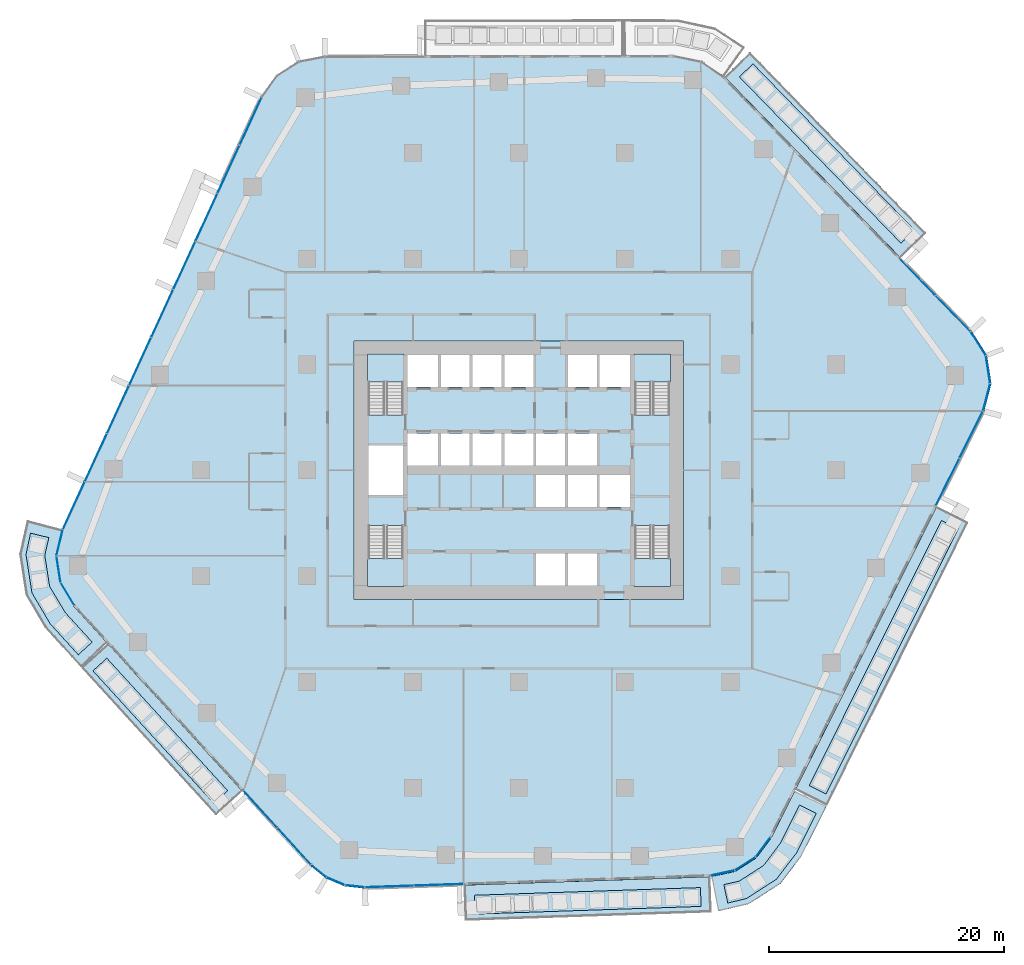
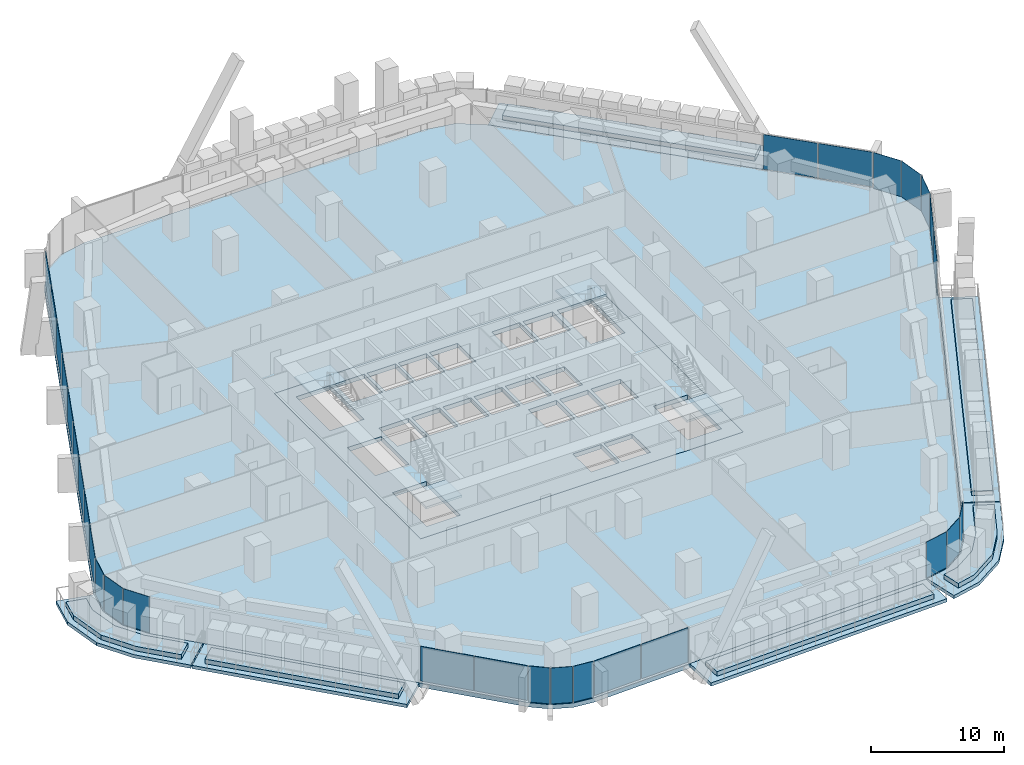
# One storey, part 11 of 26: 29 plates, 18 slabs, 13 elements without a shape of their own.
"""IFC4 building model written with IfcOpenShell, lengths in metres."""

from ifc_helpers import new_model, si_unit, direction, frame, origin, origin_2d, place, context, subcontext, project, spatial, polyline, rectangle, outline, extrude, material, layer, layer_set, type_object, element, aggregate, save


model = new_model("IFC4")

# Units and contexts
model_context = context("Model", 3, precision=1e-05, world=origin(), true_north=direction((0.0, 1.0)))
body_context = subcontext(model_context, "Body", "Model", "MODEL_VIEW")
ifc_project = project(units=[si_unit("LENGTHUNIT", "METRE"), si_unit("AREAUNIT", "SQUARE_METRE"), si_unit("VOLUMEUNIT", "CUBIC_METRE"), si_unit("PLANEANGLEUNIT", "RADIAN"), si_unit("MASSUNIT", "GRAM", prefix="KILO")], contexts=[model_context])

# Site, building, storey
site_placement = place(None, origin())
site = spatial("IfcSite", under=ifc_project, at=site_placement, CompositionType="ELEMENT")
building_placement = place(site_placement, origin())
building = spatial("IfcBuilding", under=site, at=building_placement, Name="Dongbaek Canopy Tower", CompositionType="ELEMENT")
storey_placement = place(building_placement, frame((0.0, 0.0, 73.60009765625)))
storey = spatial("IfcBuildingStorey", under=building, at=storey_placement, Name="L14", CompositionType="ELEMENT", Elevation=73.60009765625)

# Slabs
ifc_material_1 = material(Name="Concrete C40/50", Category="concrete")
ifc_layer_1 = layer(ifc_material_1, 0.300048828125)
ifc_layer_set_1 = layer_set([ifc_layer_1], Name="Balcony slab 300")
slab_type_1 = type_object("IfcSlabType", Name="Balcony slab 300", PredefinedType="FLOOR", material=ifc_layer_set_1)
slab_1_placement = place(storey_placement, frame((0.0, 0.0, -0.300048828125)))
element("IfcSlab", 1, at=slab_1_placement, inside=storey, type_object=slab_type_1, Name="Balcony L14 1", PredefinedType="FLOOR", context=body_context, shape_type="SweptSolid", body=[
    extrude(outline(polyline([(32.453369140625, 18.074462890625), (17.52197265625, 33.441162109375), (19.67333984375, 35.53173828125), (34.60498046875, 20.165283203125), (32.453369140625, 18.074462890625)])), origin(), (0.0, 0.0, 1.0), 0.300048828125),
])
slab_2_placement = place(storey_placement, frame((0.0, 0.0, -0.300048828125)))
element("IfcSlab", 2, at=slab_2_placement, inside=storey, type_object=slab_type_1, Name="Balcony L14 3", PredefinedType="FLOOR", context=body_context, shape_type="SweptSolid", body=[
    extrude(outline(polyline([(-34.946044921875, -14.74072265625), (-23.51904296875, -27.2646484375), (-25.7353515625, -29.28662109375), (-37.162109375, -16.762939453125), (-34.946044921875, -14.74072265625)])), origin(), (0.0, 0.0, 1.0), 0.300048828125),
])
slab_3_placement = place(storey_placement, frame((0.0, 0.0, -0.300048828125)))
element("IfcSlab", 3, at=slab_3_placement, inside=storey, type_object=slab_type_1, Name="Balcony L14 7", PredefinedType="FLOOR", context=body_context, shape_type="SweptSolid", body=[
    extrude(outline(polyline([(-38.88330078125, -5.05078125), (-39.416015625, -7.2646484375), (-39.05859375, -9.56396484375), (-37.853271484375, -11.554443359375), (-35.013427734375, -14.6669921875), (-37.2294921875, -16.68896484375), (-40.255859375, -13.350830078125), (-41.87744140625, -10.5908203125), (-42.413330078125, -7.1416015625), (-41.800048828125, -4.34912109375), (-38.88330078125, -5.05078125)])), origin(), (0.0, 0.0, 1.0), 0.300048828125),
])
slab_4_placement = place(storey_placement, frame((0.0, 0.0, -0.300048828125)))
element("IfcSlab", 4, at=slab_4_placement, inside=storey, type_object=slab_type_1, Name="Balcony L14 4", PredefinedType="FLOOR", context=body_context, shape_type="SweptSolid", body=[
    extrude(outline(polyline([(-4.64892578125, -35.265869140625), (16.259521484375, -34.55615234375), (16.361328125, -37.554443359375), (-4.547119140625, -38.26416015625), (-4.64892578125, -35.265869140625)])), origin(), (0.0, 0.0, 1.0), 0.300048828125),
])
slab_5_placement = place(storey_placement, frame((0.0, 0.0, -0.300048828125)))
element("IfcSlab", 5, at=slab_5_placement, inside=storey, type_object=slab_type_1, Name="Balcony L14 5", PredefinedType="FLOOR", context=body_context, shape_type="SweptSolid", body=[
    extrude(outline(polyline([(23.506103515625, -27.1650390625), (35.5146484375, -3.094482421875), (38.198974609375, -4.433837890625), (26.1904296875, -28.504150390625), (23.506103515625, -27.1650390625)])), origin(), (0.0, 0.0, 1.0), 0.300048828125),
])
slab_6_placement = place(storey_placement, frame((0.0, 0.0, -0.300048828125)))
element("IfcSlab", 6, at=slab_6_placement, inside=storey, type_object=slab_type_1, Name="Balcony L14 8", PredefinedType="FLOOR", context=body_context, shape_type="SweptSolid", body=[
    extrude(outline(polyline([(16.3583984375, -34.5439453125), (18.39794921875, -34.102783203125), (20.19580078125, -32.947998046875), (21.474853515625, -31.236328125), (23.46142578125, -27.25439453125), (26.145751953125, -28.59375), (24.02880859375, -32.810302734375), (22.24072265625, -35.14306640625), (19.5439453125, -36.875244140625), (16.992431640625, -37.47607421875), (16.3583984375, -34.5439453125)])), origin(), (0.0, 0.0, 1.0), 0.300048828125),
])

# Curtain wall, plates
ifc_material_2 = material(Name="Aluminium 6063-T6 pale anodised", Category="aluminium")
ifc_layer_2 = layer(ifc_material_2, 0.199951171875)
ifc_layer_set_2 = layer_set([ifc_layer_2], Name="CW-1 unitised tower curtain wall")
curtain_wall_type = type_object("IfcCurtainWallType", Name="CW-1 unitised tower curtain wall", PredefinedType="NOTDEFINED", material=ifc_layer_set_2)
curtain_wall_1_placement = place(storey_placement, origin())
curtain_wall_1 = element("IfcCurtainWall", 7, at=curtain_wall_1_placement, inside=storey, type_object=curtain_wall_type, Name="CW-1 curtain wall K0.1", PredefinedType="NOTDEFINED")
ifc_material_3 = material(Name="Clear laminated glass", Category="glass")
ifc_layer_3 = layer(ifc_material_3, 0.028076171875)
ifc_layer_set_3 = layer_set([ifc_layer_3], Name="CW-1 glazed panel 28")
plate_type = type_object("IfcPlateType", Name="CW-1 glazed panel 28", PredefinedType="CURTAIN_PANEL", material=ifc_layer_set_3)
plate_1_placement = place(storey_placement, frame((39.76806640625, 6.208740234375, 0.0), z_axis=(0.0, 0.0, 1.0), x_axis=(0.254303572242, 0.967124445532, 0.0)))
plate_1 = element("IfcPlate", 8, at=plate_1_placement, type_object=plate_type, Name="CW-1 panel K0.1.1.1", PredefinedType="CURTAIN_PANEL", context=body_context, shape_type="SweptSolid", body=[
    extrude(rectangle(XDim=2.3349609375, YDim=0.028076171875, at=origin_2d()), origin(), (0.0, 0.0, 1.0), 3.300048828125),
])
plate_2_placement = place(storey_placement, frame((39.890869140625, 8.568359375, 0.0), z_axis=(0.0, 0.0, 1.0), x_axis=(-0.153529895186, 0.988144003313, 0.0)))
plate_2 = element("IfcPlate", 9, at=plate_2_placement, type_object=plate_type, Name="CW-1 panel K0.1.2.1", PredefinedType="CURTAIN_PANEL", context=body_context, shape_type="SweptSolid", body=[
    extrude(rectangle(XDim=2.324462890625, YDim=0.028076171875, at=origin_2d()), origin(), (0.0, 0.0, 1.0), 3.300048828125),
])
plate_3_placement = place(storey_placement, frame((39.057861328125, 10.77978515625, 0.0), z_axis=(0.0, 0.0, 1.0), x_axis=(-0.535759188309, 0.844370826203, 0.0)))
plate_3 = element("IfcPlate", 10, at=plate_3_placement, type_object=plate_type, Name="CW-1 panel K0.1.3.1", PredefinedType="CURTAIN_PANEL", context=body_context, shape_type="SweptSolid", body=[
    extrude(rectangle(XDim=2.3349609375, YDim=0.028076171875, at=origin_2d()), origin(), (0.0, 0.0, 1.0), 3.300048828125),
])
aggregate(curtain_wall_1, [plate_1, plate_2, plate_3])

curtain_wall_2_placement = place(storey_placement, origin())
curtain_wall_2 = element("IfcCurtainWall", 11, at=curtain_wall_2_placement, inside=storey, type_object=curtain_wall_type, Name="CW-1 curtain wall F0.1", PredefinedType="NOTDEFINED")
plate_4_placement = place(storey_placement, frame((36.913330078125, 13.34130859375, 0.1201171875), z_axis=(0.0, 0.0, 1.0), x_axis=(-0.696881592027, 0.717186200853, 0.0)))
plate_4 = element("IfcPlate", 12, at=plate_4_placement, type_object=plate_type, Name="CW-1 panel F0.1.1.1", PredefinedType="CURTAIN_PANEL", context=body_context, shape_type="SweptSolid", body=[
    extrude(rectangle(XDim=4.2109375, YDim=0.028076171875, at=origin_2d()), origin(), (0.0, 0.0, 1.0), 3.179931640625),
])
plate_5_placement = place(storey_placement, frame((33.916748046875, 16.425048828125, 0.1201171875), z_axis=(0.0, 0.0, 1.0), x_axis=(-0.696881592027, 0.717186200853, 0.0)))
plate_5 = element("IfcPlate", 13, at=plate_5_placement, type_object=plate_type, Name="CW-1 panel F0.1.2.1", PredefinedType="CURTAIN_PANEL", context=body_context, shape_type="SweptSolid", body=[
    extrude(rectangle(XDim=4.22119140625, YDim=0.028076171875, at=origin_2d()), origin(), (0.0, 0.0, 1.0), 3.179931640625),
])
aggregate(curtain_wall_2, [plate_4, plate_5])

curtain_wall_3_placement = place(storey_placement, origin())
curtain_wall_3 = element("IfcCurtainWall", 14, at=curtain_wall_3_placement, inside=storey, type_object=curtain_wall_type, Name="CW-1 curtain wall F2.1", PredefinedType="NOTDEFINED")
plate_6_placement = place(storey_placement, frame((-22.805419921875, 29.6728515625, 0.1201171875), z_axis=(0.0, 0.0, 1.0), x_axis=(-0.418024643264, -0.908435687115, 0.0)))
plate_6 = element("IfcPlate", 15, at=plate_6_placement, type_object=plate_type, Name="CW-1 panel F2.1.1.1", PredefinedType="CURTAIN_PANEL", context=body_context, shape_type="SweptSolid", body=[
    extrude(rectangle(XDim=4.403076171875, YDim=0.028076171875, at=origin_2d()), origin(), (0.0, 0.0, 1.0), 3.179931640625),
])
plate_7_placement = place(storey_placement, frame((-24.68310546875, 25.59228515625, 0.1201171875), z_axis=(0.0, 0.0, 1.0), x_axis=(-0.418024643264, -0.908435687115, 0.0)))
plate_7 = element("IfcPlate", 16, at=plate_7_placement, type_object=plate_type, Name="CW-1 panel F2.1.2.1", PredefinedType="CURTAIN_PANEL", context=body_context, shape_type="SweptSolid", body=[
    extrude(rectangle(XDim=4.41259765625, YDim=0.028076171875, at=origin_2d()), origin(), (0.0, 0.0, 1.0), 3.179931640625),
])
plate_8_placement = place(storey_placement, frame((-26.562744140625, 21.50732421875, 0.1201171875), z_axis=(0.0, 0.0, 1.0), x_axis=(-0.418024643264, -0.908435687115, 0.0)))
plate_8 = element("IfcPlate", 17, at=plate_8_placement, type_object=plate_type, Name="CW-1 panel F2.1.3.1", PredefinedType="CURTAIN_PANEL", context=body_context, shape_type="SweptSolid", body=[
    extrude(rectangle(XDim=4.41259765625, YDim=0.028076171875, at=origin_2d()), origin(), (0.0, 0.0, 1.0), 3.179931640625),
])
plate_9_placement = place(storey_placement, frame((-28.442626953125, 17.422607421875, 0.1201171875), z_axis=(0.0, 0.0, 1.0), x_axis=(-0.418024643264, -0.908435687115, 0.0)))
plate_9 = element("IfcPlate", 18, at=plate_9_placement, type_object=plate_type, Name="CW-1 panel F2.1.4.1", PredefinedType="CURTAIN_PANEL", context=body_context, shape_type="SweptSolid", body=[
    extrude(rectangle(XDim=4.41259765625, YDim=0.028076171875, at=origin_2d()), origin(), (0.0, 0.0, 1.0), 3.179931640625),
])
plate_10_placement = place(storey_placement, frame((-30.322265625, 13.337646484375, 0.1201171875), z_axis=(0.0, 0.0, 1.0), x_axis=(-0.418024643264, -0.908435687115, 0.0)))
plate_10 = element("IfcPlate", 19, at=plate_10_placement, type_object=plate_type, Name="CW-1 panel F2.1.5.1", PredefinedType="CURTAIN_PANEL", context=body_context, shape_type="SweptSolid", body=[
    extrude(rectangle(XDim=4.41259765625, YDim=0.028076171875, at=origin_2d()), origin(), (0.0, 0.0, 1.0), 3.179931640625),
])
plate_11_placement = place(storey_placement, frame((-32.201904296875, 9.2529296875, 0.1201171875), z_axis=(0.0, 0.0, 1.0), x_axis=(-0.418024643264, -0.908435687115, 0.0)))
plate_11 = element("IfcPlate", 20, at=plate_11_placement, type_object=plate_type, Name="CW-1 panel F2.1.6.1", PredefinedType="CURTAIN_PANEL", context=body_context, shape_type="SweptSolid", body=[
    extrude(rectangle(XDim=4.41259765625, YDim=0.028076171875, at=origin_2d()), origin(), (0.0, 0.0, 1.0), 3.179931640625),
])
plate_12_placement = place(storey_placement, frame((-34.08154296875, 5.168212890625, 0.1201171875), z_axis=(0.0, 0.0, 1.0), x_axis=(-0.418024643264, -0.908435687115, 0.0)))
plate_12 = element("IfcPlate", 21, at=plate_12_placement, type_object=plate_type, Name="CW-1 panel F2.1.7.1", PredefinedType="CURTAIN_PANEL", context=body_context, shape_type="SweptSolid", body=[
    extrude(rectangle(XDim=4.41259765625, YDim=0.028076171875, at=origin_2d()), origin(), (0.0, 0.0, 1.0), 3.179931640625),
])
plate_13_placement = place(storey_placement, frame((-35.961181640625, 1.083251953125, 0.1201171875), z_axis=(0.0, 0.0, 1.0), x_axis=(-0.418024643264, -0.908435687115, 0.0)))
plate_13 = element("IfcPlate", 22, at=plate_13_placement, type_object=plate_type, Name="CW-1 panel F2.1.8.1", PredefinedType="CURTAIN_PANEL", context=body_context, shape_type="SweptSolid", body=[
    extrude(rectangle(XDim=4.41259765625, YDim=0.028076171875, at=origin_2d()), origin(), (0.0, 0.0, 1.0), 3.179931640625),
])
plate_14_placement = place(storey_placement, frame((-37.8388671875, -2.9970703125, 0.1201171875), z_axis=(0.0, 0.0, 1.0), x_axis=(-0.418024643264, -0.908435687115, 0.0)))
plate_14 = element("IfcPlate", 23, at=plate_14_placement, type_object=plate_type, Name="CW-1 panel F2.1.9.1", PredefinedType="CURTAIN_PANEL", context=body_context, shape_type="SweptSolid", body=[
    extrude(rectangle(XDim=4.40283203125, YDim=0.028076171875, at=origin_2d()), origin(), (0.0, 0.0, 1.0), 3.179931640625),
])
aggregate(curtain_wall_3, [plate_6, plate_7, plate_8, plate_9, plate_10, plate_11, plate_12, plate_13, plate_14])

curtain_wall_4_placement = place(storey_placement, origin())
curtain_wall_4 = element("IfcCurtainWall", 24, at=curtain_wall_4_placement, inside=storey, type_object=curtain_wall_type, Name="CW-1 curtain wall K3.1", PredefinedType="NOTDEFINED")
plate_15_placement = place(storey_placement, frame((-39.04541015625, -6.15185546875, 0.0), z_axis=(0.0, 0.0, 1.0), x_axis=(-0.233932352085, -0.972252875875, 0.0)))
plate_15 = element("IfcPlate", 25, at=plate_15_placement, type_object=plate_type, Name="CW-1 panel K3.1.1.1", PredefinedType="CURTAIN_PANEL", context=body_context, shape_type="SweptSolid", body=[
    extrude(rectangle(XDim=2.21337890625, YDim=0.028076171875, at=origin_2d()), origin(), (0.0, 0.0, 1.0), 3.300048828125),
])
plate_16_placement = place(storey_placement, frame((-39.138427734375, -8.39892578125, 0.0), z_axis=(0.0, 0.0, 1.0), x_axis=(0.153568518099, -0.988138001622, 0.0)))
plate_16 = element("IfcPlate", 26, at=plate_16_placement, type_object=plate_type, Name="CW-1 panel K3.1.2.1", PredefinedType="CURTAIN_PANEL", context=body_context, shape_type="SweptSolid", body=[
    extrude(rectangle(XDim=2.203369140625, YDim=0.028076171875, at=origin_2d()), origin(), (0.0, 0.0, 1.0), 3.300048828125),
])
plate_17_placement = place(storey_placement, frame((-38.367919921875, -10.51171875, 0.0), z_axis=(0.0, 0.0, 1.0), x_axis=(0.517971260884, -0.855398020163, 0.0)))
plate_17 = element("IfcPlate", 27, at=plate_17_placement, type_object=plate_type, Name="CW-1 panel K3.1.3.1", PredefinedType="CURTAIN_PANEL", context=body_context, shape_type="SweptSolid", body=[
    extrude(rectangle(XDim=2.21337890625, YDim=0.028076171875, at=origin_2d()), origin(), (0.0, 0.0, 1.0), 3.300048828125),
])
aggregate(curtain_wall_4, [plate_15, plate_16, plate_17])

curtain_wall_5_placement = place(storey_placement, origin())
curtain_wall_5 = element("IfcCurtainWall", 28, at=curtain_wall_5_placement, inside=storey, type_object=curtain_wall_type, Name="CW-1 curtain wall F3.1", PredefinedType="NOTDEFINED")
plate_18_placement = place(storey_placement, frame((-21.974853515625, -28.808837890625, 0.1201171875), z_axis=(0.0, 0.0, 1.0), x_axis=(0.674012428708, -0.738720005108, 0.0)))
plate_18 = element("IfcPlate", 29, at=plate_18_placement, type_object=plate_type, Name="CW-1 panel F3.1.1.1", PredefinedType="CURTAIN_PANEL", context=body_context, shape_type="SweptSolid", body=[
    extrude(rectangle(XDim=4.179443359375, YDim=0.028076171875, at=origin_2d()), origin(), (0.0, 0.0, 1.0), 3.179931640625),
])
plate_19_placement = place(storey_placement, frame((-19.103515625, -31.955810546875, 0.1201171875), z_axis=(0.0, 0.0, 1.0), x_axis=(0.674012428708, -0.738720005108, 0.0)))
plate_19 = element("IfcPlate", 30, at=plate_19_placement, type_object=plate_type, Name="CW-1 panel F3.1.2.1", PredefinedType="CURTAIN_PANEL", context=body_context, shape_type="SweptSolid", body=[
    extrude(rectangle(XDim=4.172119140625, YDim=0.028076171875, at=origin_2d()), origin(), (0.0, 0.0, 1.0), 3.179931640625),
])
aggregate(curtain_wall_5, [plate_18, plate_19])

curtain_wall_6_placement = place(storey_placement, origin())
curtain_wall_6 = element("IfcCurtainWall", 31, at=curtain_wall_6_placement, inside=storey, type_object=curtain_wall_type, Name="CW-1 curtain wall K4.1", PredefinedType="NOTDEFINED")
plate_20_placement = place(storey_placement, frame((-17.01123046875, -34.067626953125, 0.0), z_axis=(0.0, 0.0, 1.0), x_axis=(0.773161951853, -0.634208637758, 0.0)))
plate_20 = element("IfcPlate", 32, at=plate_20_placement, type_object=plate_type, Name="CW-1 panel K4.1.1.1", PredefinedType="CURTAIN_PANEL", context=body_context, shape_type="SweptSolid", body=[
    extrude(rectangle(XDim=1.618408203125, YDim=0.028076171875, at=origin_2d()), origin(), (0.0, 0.0, 1.0), 3.300048828125),
])
plate_21_placement = place(storey_placement, frame((-15.57177734375, -34.9365234375, 0.0), z_axis=(0.0, 0.0, 1.0), x_axis=(0.921599443138, -0.388142327513, 0.0)))
plate_21 = element("IfcPlate", 33, at=plate_21_placement, type_object=plate_type, Name="CW-1 panel K4.1.2.1", PredefinedType="CURTAIN_PANEL", context=body_context, shape_type="SweptSolid", body=[
    extrude(rectangle(XDim=1.611083984375, YDim=0.028076171875, at=origin_2d()), origin(), (0.0, 0.0, 1.0), 3.300048828125),
])
plate_22_placement = place(storey_placement, frame((-13.944580078125, -35.359130859375, 0.0), z_axis=(0.0, 0.0, 1.0), x_axis=(0.993929116272, -0.110022324221, 0.0)))
plate_22 = element("IfcPlate", 34, at=plate_22_placement, type_object=plate_type, Name="CW-1 panel K4.1.3.1", PredefinedType="CURTAIN_PANEL", context=body_context, shape_type="SweptSolid", body=[
    extrude(rectangle(XDim=1.618408203125, YDim=0.028076171875, at=origin_2d()), origin(), (0.0, 0.0, 1.0), 3.300048828125),
])
aggregate(curtain_wall_6, [plate_20, plate_21, plate_22])

curtain_wall_7_placement = place(storey_placement, origin())
curtain_wall_7 = element("IfcCurtainWall", 35, at=curtain_wall_7_placement, inside=storey, type_object=curtain_wall_type, Name="CW-1 curtain wall F4.1", PredefinedType="NOTDEFINED")
plate_23_placement = place(storey_placement, frame((-11.001220703125, -35.381591796875, 0.1201171875), z_axis=(0.0, 0.0, 1.0), x_axis=(0.999424118962, 0.033932734012, 0.0)))
plate_23 = element("IfcPlate", 36, at=plate_23_placement, type_object=plate_type, Name="CW-1 panel F4.1.1.1", PredefinedType="CURTAIN_PANEL", context=body_context, shape_type="SweptSolid", body=[
    extrude(rectangle(XDim=4.11279296875, YDim=0.028076171875, at=origin_2d()), origin(), (0.0, 0.0, 1.0), 3.179931640625),
])
plate_24_placement = place(storey_placement, frame((-6.80322265625, -35.239013671875, 0.1201171875), z_axis=(0.0, 0.0, 1.0), x_axis=(0.999424118962, 0.033932734012, 0.0)))
plate_24 = element("IfcPlate", 37, at=plate_24_placement, type_object=plate_type, Name="CW-1 panel F4.1.2.1", PredefinedType="CURTAIN_PANEL", context=body_context, shape_type="SweptSolid", body=[
    extrude(rectangle(XDim=4.1201171875, YDim=0.028076171875, at=origin_2d()), origin(), (0.0, 0.0, 1.0), 3.179931640625),
])
aggregate(curtain_wall_7, [plate_23, plate_24])

curtain_wall_8_placement = place(storey_placement, origin())
curtain_wall_8 = element("IfcCurtainWall", 38, at=curtain_wall_8_placement, inside=storey, type_object=curtain_wall_type, Name="CW-1 curtain wall K5.1", PredefinedType="NOTDEFINED")
plate_25_placement = place(storey_placement, frame((17.328125, -34.23193359375, 0.0), z_axis=(0.0, 0.0, 1.0), x_axis=(0.977410593537, 0.211349311905, 0.0)))
plate_25 = element("IfcPlate", 39, at=plate_25_placement, type_object=plate_type, Name="CW-1 panel K5.1.1.1", PredefinedType="CURTAIN_PANEL", context=body_context, shape_type="SweptSolid", body=[
    extrude(rectangle(XDim=2.025634765625, YDim=0.028076171875, at=origin_2d()), origin(), (0.0, 0.0, 1.0), 3.300048828125),
])
plate_26_placement = place(storey_placement, frame((19.242919921875, -33.441162109375, 0.0), z_axis=(0.0, 0.0, 1.0), x_axis=(0.841367811279, 0.540462955385, 0.0)))
plate_26 = element("IfcPlate", 40, at=plate_26_placement, type_object=plate_type, Name="CW-1 panel K5.1.2.1", PredefinedType="CURTAIN_PANEL", context=body_context, shape_type="SweptSolid", body=[
    extrude(rectangle(XDim=2.0166015625, YDim=0.028076171875, at=origin_2d()), origin(), (0.0, 0.0, 1.0), 3.300048828125),
])
plate_27_placement = place(storey_placement, frame((20.758056640625, -32.028564453125, 0.0), z_axis=(0.0, 0.0, 1.0), x_axis=(0.59861987819, 0.801033233665, 0.0)))
plate_27 = element("IfcPlate", 41, at=plate_27_placement, type_object=plate_type, Name="CW-1 panel K5.1.3.1", PredefinedType="CURTAIN_PANEL", context=body_context, shape_type="SweptSolid", body=[
    extrude(rectangle(XDim=2.025634765625, YDim=0.028076171875, at=origin_2d()), origin(), (0.0, 0.0, 1.0), 3.300048828125),
])
aggregate(curtain_wall_8, [plate_25, plate_26, plate_27])

curtain_wall_9_placement = place(storey_placement, origin())
curtain_wall_9 = element("IfcCurtainWall", 42, at=curtain_wall_9_placement, inside=storey, type_object=curtain_wall_type, Name="CW-1 curtain wall F5.1", PredefinedType="NOTDEFINED")
plate_28_placement = place(storey_placement, frame((36.451904296875, -0.99169921875, 0.1201171875), z_axis=(0.0, 0.0, 1.0), x_axis=(0.446420474241, 0.894823312268, 0.0)))
plate_28 = element("IfcPlate", 43, at=plate_28_placement, type_object=plate_type, Name="CW-1 panel F5.1.1.1", PredefinedType="CURTAIN_PANEL", context=body_context, shape_type="SweptSolid", body=[
    extrude(rectangle(XDim=4.416015625, YDim=0.028076171875, at=origin_2d()), origin(), (0.0, 0.0, 1.0), 3.179931640625),
])
plate_29_placement = place(storey_placement, frame((38.45849609375, 3.0302734375, 0.1201171875), z_axis=(0.0, 0.0, 1.0), x_axis=(0.446420474241, 0.894823312268, 0.0)))
plate_29 = element("IfcPlate", 44, at=plate_29_placement, type_object=plate_type, Name="CW-1 panel F5.1.2.1", PredefinedType="CURTAIN_PANEL", context=body_context, shape_type="SweptSolid", body=[
    extrude(rectangle(XDim=4.405517578125, YDim=0.028076171875, at=origin_2d()), origin(), (0.0, 0.0, 1.0), 3.179931640625),
])
aggregate(curtain_wall_9, [plate_28, plate_29])

# Slab
ifc_material_4 = material(Name="Concrete C40/50", Category="concrete")
ifc_layer_4 = layer(ifc_material_4, 0.39990234375)
ifc_layer_set_4 = layer_set([ifc_layer_4], Name="Core floor slab 400 Concrete C40/50")
slab_type_2 = type_object("IfcSlabType", Name="Core floor slab 400 Concrete C40/50", PredefinedType="FLOOR", material=ifc_layer_set_4)
slab_7_placement = place(storey_placement, frame((0.0, 0.0, -0.400146484375)))
element("IfcSlab", 45, at=slab_7_placement, inside=storey, type_object=slab_type_2, Name="Core floor slab L14", PredefinedType="FLOOR", context=body_context, shape_type="SweptSolid", body=[
    extrude(outline(polyline([(14.0, -11.0), (14.0, 11.0), (-14.0, 11.0), (-14.0, -11.0), (14.0, -11.0)]), holes=[polyline([(-12.800048828125, 2.10009765625), (-9.85009765625, 2.10009765625), (-9.85009765625, -2.10009765625), (-12.800048828125, -2.10009765625), (-12.800048828125, 2.10009765625)]), polyline([(-6.875, 9.800048828125), (-6.875, 7.074951171875), (-9.449951171875, 7.074951171875), (-9.449951171875, 9.800048828125), (-6.875, 9.800048828125)]), polyline([(-4.175048828125, 9.800048828125), (-4.175048828125, 7.074951171875), (-6.625, 7.074951171875), (-6.625, 9.800048828125), (-4.175048828125, 9.800048828125)]), polyline([(-1.47509765625, 9.800048828125), (-1.47509765625, 7.074951171875), (-3.925048828125, 7.074951171875), (-3.925048828125, 9.800048828125), (-1.47509765625, 9.800048828125)]), polyline([(1.22509765625, 9.800048828125), (1.22509765625, 7.074951171875), (-1.22509765625, 7.074951171875), (-1.22509765625, 9.800048828125), (1.22509765625, 9.800048828125)]), polyline([(6.625, 9.800048828125), (6.625, 7.074951171875), (4.175048828125, 7.074951171875), (4.175048828125, 9.800048828125), (6.625, 9.800048828125)]), polyline([(9.449951171875, 7.074951171875), (6.875, 7.074951171875), (6.875, 9.800048828125), (9.449951171875, 9.800048828125), (9.449951171875, 7.074951171875)]), polyline([(-9.449951171875, 3.125), (-6.875, 3.125), (-6.875, 0.39990234375), (-9.449951171875, 0.39990234375), (-9.449951171875, 3.125)]), polyline([(-6.625, 3.125), (-4.175048828125, 3.125), (-4.175048828125, 0.39990234375), (-6.625, 0.39990234375), (-6.625, 3.125)]), polyline([(-3.925048828125, 3.125), (-1.47509765625, 3.125), (-1.47509765625, 0.39990234375), (-3.925048828125, 0.39990234375), (-3.925048828125, 3.125)]), polyline([(-1.22509765625, 3.125), (1.22509765625, 3.125), (1.22509765625, 0.39990234375), (-1.22509765625, 0.39990234375), (-1.22509765625, 3.125)]), polyline([(3.925048828125, 3.125), (3.925048828125, 0.39990234375), (1.47509765625, 0.39990234375), (1.47509765625, 3.125), (3.925048828125, 3.125)]), polyline([(4.175048828125, 3.125), (6.625, 3.125), (6.625, 0.39990234375), (4.175048828125, 0.39990234375), (4.175048828125, 3.125)]), polyline([(1.47509765625, -0.39990234375), (3.925048828125, -0.39990234375), (3.925048828125, -3.125), (1.47509765625, -3.125), (1.47509765625, -0.39990234375)]), polyline([(4.175048828125, -3.125), (4.175048828125, -0.39990234375), (6.625, -0.39990234375), (6.625, -3.125), (4.175048828125, -3.125)]), polyline([(9.449951171875, -3.125), (6.875, -3.125), (6.875, -0.39990234375), (9.449951171875, -0.39990234375), (9.449951171875, -3.125)]), polyline([(1.47509765625, -9.800048828125), (1.47509765625, -7.074951171875), (3.925048828125, -7.074951171875), (3.925048828125, -9.800048828125), (1.47509765625, -9.800048828125)]), polyline([(4.175048828125, -9.800048828125), (4.175048828125, -7.074951171875), (6.625, -7.074951171875), (6.625, -9.800048828125), (4.175048828125, -9.800048828125)]), polyline([(12.800048828125, 4.70068359375), (12.800048828125, 9.800048828125), (9.85009765625, 9.800048828125), (9.85009765625, 4.70068359375), (12.800048828125, 4.70068359375)]), polyline([(-9.85009765625, 4.70068359375), (-9.85009765625, 9.800048828125), (-12.800048828125, 9.800048828125), (-12.800048828125, 4.70068359375), (-9.85009765625, 4.70068359375)]), polyline([(9.85009765625, -4.70068359375), (9.85009765625, -9.800048828125), (12.800048828125, -9.800048828125), (12.800048828125, -4.70068359375), (9.85009765625, -4.70068359375)]), polyline([(-12.800048828125, -4.70068359375), (-12.800048828125, -9.800048828125), (-9.85009765625, -9.800048828125), (-9.85009765625, -4.70068359375), (-12.800048828125, -4.70068359375)])]), origin(), (0.0, 0.0, 1.0), 0.400146484375),
])

# Stair, slab
ifc_material_5 = material(Name="Concrete C40/50", Category="concrete")
stair_type = type_object("IfcStairType", Name="Core exit stair", PredefinedType="HALF_TURN_STAIR", material=ifc_material_5)
stair_1_placement = place(storey_placement, origin())
stair_1 = element("IfcStair", 46, at=stair_1_placement, inside=storey, type_object=stair_type, Name="L14 exit stair A", PredefinedType="HALF_TURN_STAIR")
ifc_material_6 = material(Name="Concrete C40/50", Category="concrete")
ifc_layer_5 = layer(ifc_material_6, 0.199951171875)
ifc_layer_set_5 = layer_set([ifc_layer_5], Name="Core stair landing 200")
slab_type_3 = type_object("IfcSlabType", Name="Core stair landing 200", PredefinedType="LANDING", material=ifc_layer_set_5)
slab_8_placement = place(storey_placement, frame((0.0, 0.0, 1.64990234375)))
slab_8 = element("IfcSlab", 47, at=slab_8_placement, type_object=slab_type_3, Name="ST-A landing 1", PredefinedType="LANDING", context=body_context, shape_type="SweptSolid", body=[
    extrude(outline(polyline([(12.875, 7.5), (12.875, 9.875), (9.77490234375, 9.875), (9.77490234375, 7.5), (12.875, 7.5)])), origin(), (0.0, 0.0, 1.0), 0.199951171875),
])
aggregate(stair_1, [slab_8])

stair_2_placement = place(storey_placement, origin())
stair_2 = element("IfcStair", 48, at=stair_2_placement, inside=storey, type_object=stair_type, Name="L14 exit stair C", PredefinedType="HALF_TURN_STAIR")
slab_9_placement = place(storey_placement, frame((0.0, 0.0, 1.64990234375)))
slab_9 = element("IfcSlab", 49, at=slab_9_placement, type_object=slab_type_3, Name="ST-C landing 1", PredefinedType="LANDING", context=body_context, shape_type="SweptSolid", body=[
    extrude(outline(polyline([(-9.77490234375, 7.5), (-9.77490234375, 9.875), (-12.875, 9.875), (-12.875, 7.5), (-9.77490234375, 7.5)])), origin(), (0.0, 0.0, 1.0), 0.199951171875),
])
aggregate(stair_2, [slab_9])

stair_3_placement = place(storey_placement, origin())
stair_3 = element("IfcStair", 50, at=stair_3_placement, inside=storey, type_object=stair_type, Name="L14 exit stair B", PredefinedType="HALF_TURN_STAIR")
slab_10_placement = place(storey_placement, frame((0.0, 0.0, 1.64990234375)))
slab_10 = element("IfcSlab", 51, at=slab_10_placement, type_object=slab_type_3, Name="ST-B landing 1", PredefinedType="LANDING", context=body_context, shape_type="SweptSolid", body=[
    extrude(outline(polyline([(9.77490234375, -7.5), (9.77490234375, -9.875), (12.875, -9.875), (12.875, -7.5), (9.77490234375, -7.5)])), origin(), (0.0, 0.0, 1.0), 0.199951171875),
])
aggregate(stair_3, [slab_10])

stair_4_placement = place(storey_placement, origin())
stair_4 = element("IfcStair", 52, at=stair_4_placement, inside=storey, type_object=stair_type, Name="L14 exit stair D", PredefinedType="HALF_TURN_STAIR")
slab_11_placement = place(storey_placement, frame((0.0, 0.0, 1.64990234375)))
slab_11 = element("IfcSlab", 53, at=slab_11_placement, type_object=slab_type_3, Name="ST-D landing 1", PredefinedType="LANDING", context=body_context, shape_type="SweptSolid", body=[
    extrude(outline(polyline([(-12.875, -7.5), (-12.875, -9.875), (-9.77490234375, -9.875), (-9.77490234375, -7.5), (-12.875, -7.5)])), origin(), (0.0, 0.0, 1.0), 0.199951171875),
])
aggregate(stair_4, [slab_11])

# Slabs
ifc_material_7 = material(Name="Concrete C40", Category="concrete")
ifc_layer_6 = layer(ifc_material_7, 0.39990234375)
ifc_layer_set_6 = layer_set([ifc_layer_6], Name="RC FLAT PLATE 400 Concrete C40")
slab_type_4 = type_object("IfcSlabType", Name="RC FLAT PLATE 400 Concrete C40", PredefinedType="FLOOR", material=ifc_layer_set_6)
slab_12_placement = place(storey_placement, frame((0.0, 0.0, -0.400146484375)))
element("IfcSlab", 54, at=slab_12_placement, inside=storey, type_object=slab_type_4, Name="SLAB:L14", PredefinedType="FLOOR", context=body_context, shape_type="SweptSolid", body=[
    extrude(outline(polyline([(21.474853515625, -31.236328125), (20.19580078125, -32.947998046875), (18.39794921875, -34.102783203125), (16.3095703125, -34.554443359375), (-13.102294921875, -35.552978515625), (-14.816162109375, -35.36328125), (-16.4052734375, -34.694091796875), (-17.73828125, -33.6005859375), (-37.853271484375, -11.554443359375), (-39.05859375, -9.56396484375), (-39.416015625, -7.2646484375), (-38.87158203125, -5.002197265625), (-21.95458984375, 31.76123046875), (-20.63818359375, 33.6015625), (-18.73388671875, 34.823486328125), (-16.512451171875, 35.253173828125), (13.17529296875, 35.2958984375), (15.515869140625, 34.82421875), (17.487060546875, 33.47705078125), (38.48876953125, 11.86328125), (39.801513671875, 9.79443359375), (40.177734375, 7.373291015625), (39.5546875, 5.00341796875), (21.474853515625, -31.236328125)]), holes=[polyline([(14.0, 11.0), (-14.0, 11.0), (-14.0, -11.0), (14.0, -11.0), (14.0, 11.0)])]), origin(), (0.0, 0.0, 1.0), 0.400146484375),
])
ifc_material_8 = material(Name="Reinforced concrete C40/50 planter box with soil", Category="concrete")
ifc_layer_7 = layer(ifc_material_8, 0.419921875)
ifc_layer_set_7 = layer_set([ifc_layer_7], Name="Terrace planter box 1600 x 420")
slab_type_5 = type_object("IfcSlabType", Name="Terrace planter box 1600 x 420", PredefinedType="USERDEFINED", material=ifc_layer_set_7)
slab_13_placement = place(storey_placement, origin())
element("IfcSlab", 55, at=slab_13_placement, inside=storey, type_object=slab_type_5, Name="Balcony planter L14 1", ObjectType="PLANTER", PredefinedType="USERDEFINED", context=body_context, shape_type="SweptSolid", body=[
    extrude(outline(polyline([(32.49951171875, 19.304443359375), (18.75244140625, 33.451904296875), (19.900146484375, 34.56689453125), (33.64697265625, 20.41943359375), (32.49951171875, 19.304443359375)])), origin(), (0.0, 0.0, 1.0), 0.419921875),
])
slab_14_placement = place(storey_placement, origin())
element("IfcSlab", 56, at=slab_14_placement, inside=storey, type_object=slab_type_5, Name="Balcony planter L14 3", ObjectType="PLANTER", PredefinedType="USERDEFINED", context=body_context, shape_type="SweptSolid", body=[
    extrude(outline(polyline([(-35.030517578125, -15.968505859375), (-24.74951171875, -27.236572265625), (-25.931396484375, -28.315185546875), (-36.21240234375, -17.047119140625), (-35.030517578125, -15.968505859375)])), origin(), (0.0, 0.0, 1.0), 0.419921875),
])
slab_15_placement = place(storey_placement, origin())
element("IfcSlab", 57, at=slab_15_placement, inside=storey, type_object=slab_type_5, Name="Balcony planter L14 7", ObjectType="PLANTER", PredefinedType="USERDEFINED", context=body_context, shape_type="SweptSolid", body=[
    extrude(outline(polyline([(-39.959228515625, -5.717529296875), (-40.30517578125, -7.22802734375), (-39.894775390625, -9.86865234375), (-38.566162109375, -12.08740234375), (-36.277587890625, -14.60205078125), (-37.45947265625, -15.680419921875), (-39.847412109375, -13.04541015625), (-41.398193359375, -10.416259765625), (-41.90380859375, -7.16259765625), (-41.5146484375, -5.34326171875), (-39.959228515625, -5.717529296875)])), origin(), (0.0, 0.0, 1.0), 0.419921875),
])
slab_16_placement = place(storey_placement, origin())
element("IfcSlab", 58, at=slab_16_placement, inside=storey, type_object=slab_type_5, Name="Balcony planter L14 4", ObjectType="PLANTER", PredefinedType="USERDEFINED", context=body_context, shape_type="SweptSolid", body=[
    extrude(outline(polyline([(-3.769287109375, -36.126708984375), (15.440185546875, -35.474365234375), (15.49462890625, -37.073486328125), (-3.715087890625, -37.725830078125), (-3.769287109375, -36.126708984375)])), origin(), (0.0, 0.0, 1.0), 0.419921875),
])
slab_17_placement = place(storey_placement, origin())
element("IfcSlab", 59, at=slab_17_placement, inside=storey, type_object=slab_type_5, Name="Balcony planter L14 5", ObjectType="PLANTER", PredefinedType="USERDEFINED", context=body_context, shape_type="SweptSolid", body=[
    extrude(outline(polyline([(24.681884765625, -26.8017578125), (35.931640625, -4.25244140625), (37.36328125, -4.966796875), (26.113525390625, -27.515869140625), (24.681884765625, -26.8017578125)])), origin(), (0.0, 0.0, 1.0), 0.419921875),
])
slab_18_placement = place(storey_placement, origin())
element("IfcSlab", 60, at=slab_18_placement, inside=storey, type_object=slab_type_5, Name="Balcony planter L14 8", ObjectType="PLANTER", PredefinedType="USERDEFINED", context=body_context, shape_type="SweptSolid", body=[
    extrude(outline(polyline([(17.42626953125, -35.223388671875), (18.738037109375, -34.92529296875), (20.802490234375, -33.59912109375), (22.232666015625, -31.703369140625), (23.85595703125, -28.45703125), (25.287841796875, -29.17138671875), (23.5947265625, -32.542724609375), (21.89306640625, -34.769775390625), (19.34912109375, -36.404052734375), (17.764404296875, -36.787353515625), (17.42626953125, -35.223388671875)])), origin(), (0.0, 0.0, 1.0), 0.419921875),
])

save(model, "model.ifc")
